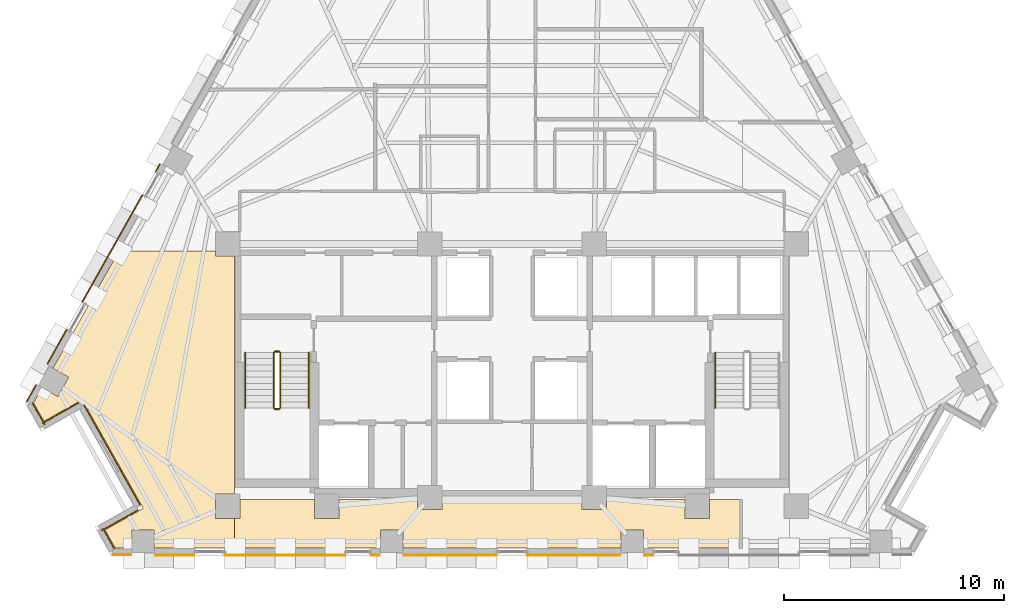
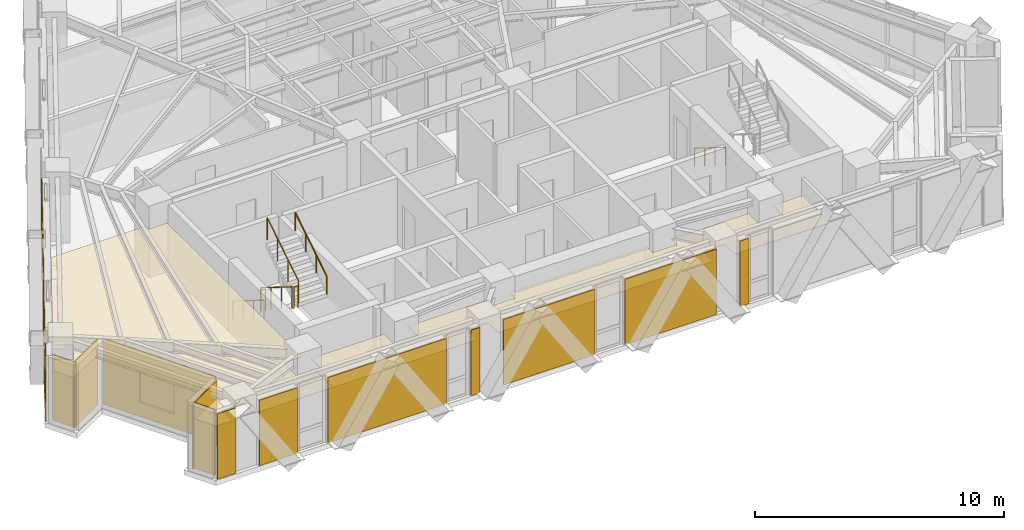
# One storey, part 10 of 13: 18 coverings, 7 railings.
"""IFC4 building model written with IfcOpenShell, lengths in metres."""

import ifcopenshell
import ifcopenshell.guid

model = None  # the IFC model being written
_history = None  # IfcOwnerHistory: only IFC2X3 demands one
_inside = {}  # id of a spatial element -> (the spatial element, [elements in it])
_under = {}  # id of a project, library or spatial element -> (it, [spatial elements below it])
_declared = {}  # id of a project -> (the project, [libraries it declares])
_typed = {}  # id of a type object -> (the type object, [elements of that type])
_made_of = {}  # id of a material, layer set ... -> (it, [elements and type objects made of it])


def new_model(schema):
    """Start an empty IFC model of exactly this schema.

    Asked for "IFC4X3", IfcOpenShell would pick the latest addendum, in which some entities
    have other attributes; the version numbers below select the first issue.
    IFC2X3 requires an IfcOwnerHistory on every rooted entity: one is made here for all.
    """
    global model, _history
    if schema == "IFC4X3":
        model = ifcopenshell.file(schema_version=(4, 3, 0, 0))
    else:
        model = ifcopenshell.file(schema=schema)
    _inside.clear()
    _under.clear()
    _declared.clear()
    _typed.clear()
    _made_of.clear()
    _history = None
    if model.schema == "IFC2X3":
        org = make("IfcOrganization", Name="unknown")
        user = make(
            "IfcPersonAndOrganization",
            ThePerson=make("IfcPerson", FamilyName="unknown"),
            TheOrganization=org,
        )
        app = make(
            "IfcApplication",
            ApplicationDeveloper=org,
            Version="unknown",
            ApplicationFullName="unknown",
            ApplicationIdentifier="unknown",
        )
        _history = make(
            "IfcOwnerHistory",
            OwningUser=user,
            OwningApplication=app,
            ChangeAction="ADDED",
            CreationDate=0,
        )
    return model


def make(cls, **values):
    """One entity of the class cls with the attributes given. An attribute that is None is left unset."""
    return model.create_entity(
        cls, **{name: value for name, value in values.items() if value is not None}
    )


def rooted(cls, **values):
    """An entity with a GlobalId (a new one), such as an element, a storey or a relation."""
    return make(cls, GlobalId=ifcopenshell.guid.new(), OwnerHistory=_history, **values)


def si_unit(unit_type, name, prefix=None):
    """IfcSIUnit, for example si_unit("LENGTHUNIT", "METRE", prefix="MILLI")."""
    return make("IfcSIUnit", UnitType=unit_type, Prefix=prefix, Name=name)


def assignment(units):
    """IfcUnitAssignment: the units of a project."""
    return None if units is None else make("IfcUnitAssignment", Units=units)


def point(xyz):
    """IfcCartesianPoint."""
    return None if xyz is None else make("IfcCartesianPoint", Coordinates=xyz)


def direction(xyz):
    """IfcDirection."""
    return None if xyz is None else make("IfcDirection", DirectionRatios=xyz)


def frame(location, z_axis=None, x_axis=None):
    """IfcAxis2Placement3D, a coordinate frame: its origin and axes. An axis left out is left unset."""
    return make(
        "IfcAxis2Placement3D",
        Location=point(location),
        Axis=direction(z_axis),
        RefDirection=direction(x_axis),
    )


def frame_2d(location, x_axis=None):
    """IfcAxis2Placement2D, a coordinate frame in the plane: its origin and x axis."""
    return make(
        "IfcAxis2Placement2D", Location=point(location), RefDirection=direction(x_axis)
    )


def origin():
    """The frame at (0, 0, 0) with its axes left unset."""
    return frame((0.0, 0.0, 0.0))


def origin_2d():
    """The frame at (0, 0) in the plane with its x axis left unset."""
    return frame_2d((0.0, 0.0))


def place(relative_to, where):
    """IfcLocalPlacement: puts the frame where relative to a parent placement (None: the world)."""
    return make(
        "IfcLocalPlacement", PlacementRelTo=relative_to, RelativePlacement=where
    )


def context(
    kind, dimensions, precision=None, world=None, true_north=None, identifier=None
):
    """IfcGeometricRepresentationContext, for example the 3D "Model" context."""
    return make(
        "IfcGeometricRepresentationContext",
        ContextIdentifier=identifier,
        ContextType=kind,
        CoordinateSpaceDimension=dimensions,
        Precision=precision,
        WorldCoordinateSystem=world,
        TrueNorth=true_north,
    )


def subcontext(parent, identifier, kind, view, scale=None):
    """IfcGeometricRepresentationSubContext, for example "Body" below "Model"."""
    return make(
        "IfcGeometricRepresentationSubContext",
        ContextIdentifier=identifier,
        ContextType=kind,
        ParentContext=parent,
        TargetScale=scale,
        TargetView=view,
    )


def project(units=None, contexts=None):
    """IfcProject with its units and contexts."""
    return rooted(
        "IfcProject",
        Name="project",
        RepresentationContexts=contexts,
        UnitsInContext=assignment(units),
    )


def spatial(cls, under=None, at=None, **own):
    """A site, building, storey or space (cls), placed at a placement, below another one or the project."""
    s = rooted(cls, ObjectPlacement=at, **own)
    if under is not None:
        _under.setdefault(under.id(), (under, []))[1].append(s)
    return s


def polyline(points):
    """IfcPolyline through the points."""
    return make("IfcPolyline", Points=[point(p) for p in points])


def profile(cls, at=None, kind="AREA", **sizes):
    """A parametric profile (cls). Its sizes go by their IFC names, for example OverallWidth=200.0."""
    return make(cls, ProfileType=kind, Position=at, **sizes)


def circle(**sizes):
    """IfcCircleProfileDef."""
    return profile("IfcCircleProfileDef", **sizes)


def outline(outer, holes=None, kind="AREA"):
    """IfcArbitraryClosedProfileDef: a profile drawn as a closed curve; with holes, ...WithVoids."""
    if holes is None:
        return make("IfcArbitraryClosedProfileDef", ProfileType=kind, OuterCurve=outer)
    return make(
        "IfcArbitraryProfileDefWithVoids",
        ProfileType=kind,
        OuterCurve=outer,
        InnerCurves=holes,
    )


def extrude(swept, where, along, depth):
    """IfcExtrudedAreaSolid: the profile swept, set in the frame where, extruded along a direction by depth."""
    return make(
        "IfcExtrudedAreaSolid",
        SweptArea=swept,
        Position=where,
        ExtrudedDirection=direction(along),
        Depth=depth,
    )


def shape(context_of_items, identifier, shape_type, items):
    """IfcShapeRepresentation: the items that make up one representation, for example the "Body"."""
    return make(
        "IfcShapeRepresentation",
        ContextOfItems=context_of_items,
        RepresentationIdentifier=identifier,
        RepresentationType=shape_type,
        Items=items,
    )


def material(Name=None, Category=None):
    """IfcMaterial."""
    return make("IfcMaterial", Name=Name, Category=Category)


def layer(
    of_material, thickness, ventilated=None, Name=None, Category=None, Priority=None
):
    """IfcMaterialLayer: one layer of a wall or slab, of a material (None: an air gap)."""
    return make(
        "IfcMaterialLayer",
        Material=of_material,
        LayerThickness=thickness,
        IsVentilated=ventilated,
        Name=Name,
        Category=Category,
        Priority=Priority,
    )


def layer_set(layers, Name=None):
    """IfcMaterialLayerSet."""
    return make("IfcMaterialLayerSet", MaterialLayers=layers, LayerSetName=Name)


def made_of(thing, what):
    """Note that an element or type object is made of a material, layer set ...; save() writes the relation."""
    if what is not None:
        _made_of.setdefault(what.id(), (what, []))[1].append(thing)
    return thing


def type_object(cls, material=None, **own):
    """A type object (cls), such as IfcWallType, which elements share."""
    return made_of(rooted(cls, **own), material)


def element(
    cls,
    number,
    at=None,
    inside=None,
    cuts=None,
    type_object=None,
    material=None,
    context=None,
    identifier="Body",
    shape_type=None,
    held_by="IfcProductDefinitionShape",
    body=None,
    shapes=None,
    **own,
):
    """One element of the class cls, such as IfcWall. Its Tag is "e" and its number.

    at: its placement. inside: the storey or other place that contains it. cuts: it is an
    opening in that element (IfcRelVoidsElement). A single representation is given by context,
    identifier, shape_type and body (its items); several are given by shapes. held_by: the class
    of the entity that holds the representations. save() writes the other relations.
    """
    e = rooted(cls, Tag="e%d" % number, ObjectPlacement=at, **own)
    if body is not None:
        shapes = [shape(context, identifier, shape_type, body)]
    if shapes is not None:
        e.Representation = make(held_by, Representations=shapes)
    if inside is not None:
        _inside.setdefault(inside.id(), (inside, []))[1].append(e)
    if cuts is not None:
        rooted(
            "IfcRelVoidsElement", RelatingBuildingElement=cuts, RelatedOpeningElement=e
        )
    if type_object is not None:
        _typed.setdefault(type_object.id(), (type_object, []))[1].append(e)
    return made_of(e, material)


def aggregate(whole, parts):
    """IfcRelAggregates: a whole, such as a stair, and the parts it consists of."""
    return rooted("IfcRelAggregates", RelatingObject=whole, RelatedObjects=parts)


def save(model, path):
    """Write the relations noted so far, then the file.

    IfcRelAggregates (storeys below a building ...), IfcRelContainedInSpatialStructure (elements
    in a storey), IfcRelDefinesByType, IfcRelAssociatesMaterial and IfcRelDeclares: one each for
    every whole, place, type object, material and project.
    """
    for whole, parts in _under.values():
        aggregate(whole, parts)
    for where, things in _inside.values():
        rooted(
            "IfcRelContainedInSpatialStructure",
            RelatedElements=things,
            RelatingStructure=where,
        )
    for kind, things in _typed.values():
        rooted("IfcRelDefinesByType", RelatedObjects=things, RelatingType=kind)
    for what, things in _made_of.values():
        rooted("IfcRelAssociatesMaterial", RelatedObjects=things, RelatingMaterial=what)
    for by, libraries in _declared.values():
        rooted("IfcRelDeclares", RelatingContext=by, RelatedDefinitions=libraries)
    model.write(path)


model = new_model("IFC4")

# Units and contexts
model_context = context("Model", 3, precision=1e-05, world=origin(), true_north=direction((0.0, 1.0)))
body_context = subcontext(model_context, "Body", "Model", "MODEL_VIEW")
ifc_project = project(units=[si_unit("LENGTHUNIT", "METRE"), si_unit("AREAUNIT", "SQUARE_METRE"), si_unit("VOLUMEUNIT", "CUBIC_METRE"), si_unit("PLANEANGLEUNIT", "RADIAN"), si_unit("MASSUNIT", "GRAM", prefix="KILO")], contexts=[model_context])

# Site, building, storey
site_placement = place(None, origin())
site = spatial("IfcSite", under=ifc_project, at=site_placement, CompositionType="ELEMENT")
building_placement = place(site_placement, origin())
building = spatial("IfcBuilding", under=site, at=building_placement, Name="Quenlor Broadcast Tower", CompositionType="ELEMENT")
storey_placement = place(building_placement, frame((0.0, 0.0, 137.0)))
storey = spatial("IfcBuildingStorey", under=building, at=storey_placement, Name="L37", CompositionType="ELEMENT", Elevation=137.0)

# Coverings
ifc_material_1 = material(Name="Acoustic Mineral Fibre Board", Category="other")
ifc_layer_1 = layer(ifc_material_1, 0.02490234375)
ifc_layer_set_1 = layer_set([ifc_layer_1], Name="Acoustic Perforated Mineral Tile Ceiling 25")
covering_type_1 = type_object("IfcCoveringType", Name="Acoustic Perforated Mineral Tile Ceiling 25", PredefinedType="CEILING", material=ifc_layer_set_1)
covering_1_placement = place(storey_placement, frame((0.0, 0.0, 2.375)))
element("IfcCovering", 1, at=covering_1_placement, inside=storey, type_object=covering_type_1, Name="L37 Acoustic Ceiling L37-36-2", PredefinedType="CEILING", context=body_context, shape_type="SweptSolid", body=[
    extrude(outline(polyline([(-21.794921875, -12.0400390625), (-21.406982421875, -11.350341796875), (-20.694091796875, -11.751220703125), (-20.19580078125, -10.86572265625), (-20.90869140625, -10.46484375), (-17.90234375, -5.1201171875), (-13.508056640625, -5.1201171875), (-13.508056640625, -5.35791015625), (-12.64990234375, -5.35791015625), (-12.64990234375, -16.19189453125), (-13.508056640625, -16.19189453125), (-13.508056640625, -17.30810546875), (-12.64990234375, -17.30810546875), (-12.64990234375, -18.659912109375), (-16.30029296875, -18.659912109375), (-16.30029296875, -17.842041015625), (-17.31640625, -17.842041015625), (-17.31640625, -18.659912109375), (-18.071044921875, -18.659912109375), (-18.538818359375, -17.82861328125), (-16.795654296875, -16.847900390625), (-19.580322265625, -11.8974609375), (-21.323486328125, -12.878173828125), (-21.794921875, -12.0400390625)])), origin(), (0.0, 0.0, 1.0), 0.02490234375),
])
covering_2_placement = place(storey_placement, frame((0.0, 0.0, 2.375)))
element("IfcCovering", 2, at=covering_2_placement, inside=storey, type_object=covering_type_1, Name="L37 Acoustic Ceiling L37-36-3", PredefinedType="CEILING", context=body_context, shape_type="SweptSolid", body=[
    extrude(outline(polyline([(-12.39208984375, -17.30810546875), (-12.39208984375, -16.449951171875), (-9.008056640625, -16.449951171875), (-9.008056640625, -17.30810546875), (-7.89208984375, -17.30810546875), (-7.89208984375, -16.449951171875), (-4.30810546875, -16.449951171875), (-4.30810546875, -16.907958984375), (-3.19189453125, -16.907958984375), (-3.19189453125, -16.449951171875), (3.19189453125, -16.449951171875), (3.19189453125, -16.907958984375), (4.30810546875, -16.907958984375), (4.30810546875, -16.449951171875), (7.89208984375, -16.449951171875), (7.89208984375, -17.30810546875), (9.008056640625, -17.30810546875), (9.008056640625, -16.449951171875), (10.38525390625, -16.449951171875), (10.38525390625, -18.659912109375), (5.989013671875, -18.659912109375), (5.989013671875, -17.842041015625), (4.972900390625, -17.842041015625), (4.972900390625, -18.659912109375), (-4.972900390625, -18.659912109375), (-4.972900390625, -17.842041015625), (-5.989013671875, -17.842041015625), (-5.989013671875, -18.659912109375), (-12.64990234375, -18.659912109375), (-12.64990234375, -17.30810546875), (-12.39208984375, -17.30810546875)])), origin(), (0.0, 0.0, 1.0), 0.02490234375),
])
ifc_material_2 = material(Name="Architectural Terracotta Ceramic", Category="masonry")
ifc_layer_2 = layer(ifc_material_2, 0.044921875)
ifc_layer_set_2 = layer_set([ifc_layer_2], Name="Fluted Terracotta Rainscreen Cladding Panel")
covering_type_2 = type_object("IfcCoveringType", Name="Fluted Terracotta Rainscreen Cladding Panel", PredefinedType="CLADDING", material=ifc_layer_set_2)
covering_3_placement = place(storey_placement, frame((0.0, 0.0, 0.02001953125)))
element("IfcCovering", 3, at=covering_3_placement, inside=storey, type_object=covering_type_2, Name="L37 Terracotta Rainscreen Cladding L37-SHD-SS1", PredefinedType="CLADDING", context=body_context, shape_type="SweptSolid", body=[
    extrude(outline(polyline([(-17.343505859375, -18.93701171875), (-18.179931640625, -18.93701171875), (-18.179931640625, -18.98193359375), (-17.343505859375, -18.98193359375), (-17.343505859375, -18.93701171875)])), origin(), (0.0, 0.0, 1.0), 3.2099609375),
])
covering_4_placement = place(storey_placement, frame((0.0, 0.0, 0.02001953125)))
element("IfcCovering", 4, at=covering_4_placement, inside=storey, type_object=covering_type_2, Name="L37 Terracotta Rainscreen Cladding L37-SA-SP3", PredefinedType="CLADDING", context=body_context, shape_type="SweptSolid", body=[
    extrude(outline(polyline([(6.43603515625, -18.95703125), (6.035888671875, -18.95703125), (6.035888671875, -19.001953125), (6.43603515625, -19.001953125), (6.43603515625, -18.95703125)])), origin(), (0.0, 0.0, 1.0), 3.2099609375),
])
covering_5_placement = place(storey_placement, frame((0.0, 0.0, 0.02001953125)))
element("IfcCovering", 5, at=covering_5_placement, inside=storey, type_object=covering_type_2, Name="L37 Terracotta Rainscreen Cladding L37-SC-SP1", PredefinedType="CLADDING", context=body_context, shape_type="SweptSolid", body=[
    extrude(outline(polyline([(-6.035888671875, -18.95703125), (-6.43603515625, -18.95703125), (-6.43603515625, -19.001953125), (-6.035888671875, -19.001953125), (-6.035888671875, -18.95703125)])), origin(), (0.0, 0.0, 1.0), 3.2099609375),
])
covering_6_placement = place(storey_placement, frame((0.0, 0.0, 0.02001953125)))
element("IfcCovering", 6, at=covering_6_placement, inside=storey, type_object=covering_type_2, Name="L37 Terracotta Rainscreen Cladding L37-SC-SP2", PredefinedType="CLADDING", context=body_context, shape_type="SweptSolid", body=[
    extrude(outline(polyline([(-7.5869140625, -18.95703125), (-13.076904296875, -18.95703125), (-13.076904296875, -19.001953125), (-7.5869140625, -19.001953125), (-7.5869140625, -18.95703125)])), origin(), (0.0, 0.0, 1.0), 3.2099609375),
])
covering_7_placement = place(storey_placement, frame((0.0, 0.0, 0.02001953125)))
element("IfcCovering", 7, at=covering_7_placement, inside=storey, type_object=covering_type_2, Name="L37 Terracotta Rainscreen Cladding L37-SC-SP3", PredefinedType="CLADDING", context=body_context, shape_type="SweptSolid", body=[
    extrude(outline(polyline([(-14.47509765625, -18.95703125), (-16.25341796875, -18.95703125), (-16.25341796875, -19.001953125), (-14.47509765625, -19.001953125), (-14.47509765625, -18.95703125)])), origin(), (0.0, 0.0, 1.0), 3.2099609375),
])
covering_8_placement = place(storey_placement, frame((0.0, 0.0, 0.02001953125)))
element("IfcCovering", 8, at=covering_8_placement, inside=storey, type_object=covering_type_2, Name="L37 Terracotta Rainscreen Cladding L37-S-SP1", PredefinedType="CLADDING", context=body_context, shape_type="SweptSolid", body=[
    extrude(outline(polyline([(4.930908203125, -18.95703125), (0.698974609375, -18.95703125), (0.698974609375, -19.001953125), (4.930908203125, -19.001953125), (4.930908203125, -18.95703125)])), origin(), (0.0, 0.0, 1.0), 3.2099609375),
])
covering_9_placement = place(storey_placement, frame((0.0, 0.0, 0.02001953125)))
element("IfcCovering", 9, at=covering_9_placement, inside=storey, type_object=covering_type_2, Name="L37 Terracotta Rainscreen Cladding L37-S-SP2", PredefinedType="CLADDING", context=body_context, shape_type="SweptSolid", body=[
    extrude(outline(polyline([(-0.698974609375, -18.95703125), (-4.930908203125, -18.95703125), (-4.930908203125, -19.001953125), (-0.698974609375, -19.001953125), (-0.698974609375, -18.95703125)])), origin(), (0.0, 0.0, 1.0), 3.2099609375),
])
covering_10_placement = place(storey_placement, frame((0.0, 0.0, 0.02001953125)))
element("IfcCovering", 10, at=covering_10_placement, inside=storey, type_object=covering_type_2, Name="L37 Terracotta Rainscreen Cladding L37-SHD-NWS0", PredefinedType="CLADDING", context=body_context, shape_type="SweptSolid", body=[
    extrude(outline(polyline([(-22.0859375, -11.992431640625), (-21.66162109375, -11.23779296875), (-21.70068359375, -11.2158203125), (-22.125244140625, -11.970458984375), (-22.0859375, -11.992431640625)])), origin(), (0.0, 0.0, 1.0), 3.2099609375),
])
covering_11_placement = place(storey_placement, frame((0.0, 0.0, 0.02001953125)))
element("IfcCovering", 11, at=covering_11_placement, inside=storey, type_object=covering_type_2, Name="L37 Terracotta Rainscreen Cladding L37-NWA-SP1", PredefinedType="CLADDING", context=body_context, shape_type="SweptSolid", body=[
    extrude(outline(polyline([(-21.14453125, -10.278076171875), (-20.26416015625, -8.712646484375), (-20.30322265625, -8.690673828125), (-21.183837890625, -10.256103515625), (-21.14453125, -10.278076171875)])), origin(), (0.0, 0.0, 1.0), 3.2099609375),
])
covering_12_placement = place(storey_placement, frame((0.0, 0.0, 0.02001953125)))
element("IfcCovering", 12, at=covering_12_placement, inside=storey, type_object=covering_type_2, Name="L37 Terracotta Rainscreen Cladding L37-NWA-SP2", PredefinedType="CLADDING", context=body_context, shape_type="SweptSolid", body=[
    extrude(outline(polyline([(-19.55322265625, -7.44921875), (-16.81591796875, -2.582763671875), (-16.855224609375, -2.560791015625), (-19.592529296875, -7.42724609375), (-19.55322265625, -7.44921875)])), origin(), (0.0, 0.0, 1.0), 3.2099609375),
])
covering_13_placement = place(storey_placement, frame((0.0, 0.0, 0.02001953125)))
element("IfcCovering", 13, at=covering_13_placement, inside=storey, type_object=covering_type_2, Name="L37 Terracotta Rainscreen Cladding L37-NWA-SP3", PredefinedType="CLADDING", context=body_context, shape_type="SweptSolid", body=[
    extrude(outline(polyline([(-16.22119140625, -1.525390625), (-16.025146484375, -1.1767578125), (-16.064453125, -1.15478515625), (-16.260498046875, -1.50341796875), (-16.22119140625, -1.525390625)])), origin(), (0.0, 0.0, 1.0), 3.2099609375),
])
covering_14_placement = place(storey_placement, frame((0.0, 0.0, 0.02001953125)))
element("IfcCovering", 14, at=covering_14_placement, inside=storey, type_object=covering_type_2, Name="L37 Terracotta Rainscreen Cladding L37-CNR-12", PredefinedType="CLADDING", context=body_context, shape_type="SweptSolid", body=[
    extrude(outline(polyline([(-21.864501953125, -12.0546875), (-21.309326171875, -13.0419921875), (-21.27001953125, -13.02001953125), (-21.825439453125, -12.03271484375), (-21.864501953125, -12.0546875)])), origin(), (0.0, 0.0, 1.0), 3.2099609375),
])
covering_15_placement = place(storey_placement, frame((0.0, 0.0, 0.02001953125)))
element("IfcCovering", 15, at=covering_15_placement, inside=storey, type_object=covering_type_2, Name="L37 Terracotta Rainscreen Cladding L37-CNR-13", PredefinedType="CLADDING", context=body_context, shape_type="SweptSolid", body=[
    extrude(outline(polyline([(-21.385986328125, -12.9912109375), (-19.72998046875, -12.059814453125), (-19.752197265625, -12.0205078125), (-21.408203125, -12.9521484375), (-21.385986328125, -12.9912109375)])), origin(), (0.0, 0.0, 1.0), 3.2099609375),
])
covering_16_placement = place(storey_placement, frame((0.0, 0.0, 0.02001953125)))
element("IfcCovering", 16, at=covering_16_placement, inside=storey, type_object=covering_type_2, Name="L37 Terracotta Rainscreen Cladding L37-CNR-14", PredefinedType="CLADDING", context=body_context, shape_type="SweptSolid", body=[
    extrude(outline(polyline([(-19.51708984375, -12.148681640625), (-16.9580078125, -16.6982421875), (-16.918701171875, -16.67626953125), (-19.477783203125, -12.126708984375), (-19.51708984375, -12.148681640625)])), origin(), (0.0, 0.0, 1.0), 3.2099609375),
])
covering_17_placement = place(storey_placement, frame((0.0, 0.0, 0.02001953125)))
element("IfcCovering", 17, at=covering_17_placement, inside=storey, type_object=covering_type_2, Name="L37 Terracotta Rainscreen Cladding L37-CNR-15", PredefinedType="CLADDING", context=body_context, shape_type="SweptSolid", body=[
    extrude(outline(polyline([(-17.046875, -16.911376953125), (-18.702880859375, -17.8427734375), (-18.680908203125, -17.882080078125), (-17.02490234375, -16.950439453125), (-17.046875, -16.911376953125)])), origin(), (0.0, 0.0, 1.0), 3.2099609375),
])
covering_18_placement = place(storey_placement, frame((0.0, 0.0, 0.02001953125)))
element("IfcCovering", 18, at=covering_18_placement, inside=storey, type_object=covering_type_2, Name="L37 Terracotta Rainscreen Cladding L37-CNR-16", PredefinedType="CLADDING", context=body_context, shape_type="SweptSolid", body=[
    extrude(outline(polyline([(-18.652099609375, -17.76611328125), (-18.127685546875, -18.697998046875), (-18.088623046875, -18.67578125), (-18.61279296875, -17.743896484375), (-18.652099609375, -17.76611328125)])), origin(), (0.0, 0.0, 1.0), 3.2099609375),
])

# Railings
ifc_material_3 = material(Name="Anodised Aluminium", Category="aluminium")
railing_type_1 = type_object("IfcRailingType", Name="Stainless Aluminium Wall Handrail 900", PredefinedType="HANDRAIL", material=ifc_material_3)
railing_1_placement = place(storey_placement, frame((-12.14990234375, -9.75, 0.175048828125)))
element("IfcRailing", 19, at=railing_1_placement, inside=storey, type_object=railing_type_1, Name="L37 ST-1 stair handrail 1", PredefinedType="HANDRAIL", context=body_context, shape_type="SweptSolid", body=[
    extrude(circle(Radius=0.02392578125, at=origin_2d()), frame((0.0, 0.0, 0.8759765625), z_axis=(0.0, -0.848007534815, 0.529984170421), x_axis=(1.0, 0.0, 0.0)), (0.0, 0.0, 1.0), 2.9716796875),
    extrude(circle(Radius=0.02099609375, at=origin_2d()), origin(), (0.0, 0.0, 1.0), 0.851806640625),
    extrude(circle(Radius=0.02099609375, at=origin_2d()), frame((0.0, -0.840087890625, 0.52490234375)), (0.0, 0.0, 1.0), 0.851806640625),
    extrude(circle(Radius=0.02099609375, at=origin_2d()), frame((0.0, -1.679931640625, 1.050048828125)), (0.0, 0.0, 1.0), 0.851806640625),
    extrude(circle(Radius=0.02099609375, at=origin_2d()), frame((0.0, -2.52001953125, 1.574951171875)), (0.0, 0.0, 1.0), 0.851806640625),
])
railing_2_placement = place(storey_placement, frame((-9.25, -12.27001953125, 1.925048828125)))
element("IfcRailing", 20, at=railing_2_placement, inside=storey, type_object=railing_type_1, Name="L37 ST-1 stair handrail 2", PredefinedType="HANDRAIL", context=body_context, shape_type="SweptSolid", body=[
    extrude(circle(Radius=0.02392578125, at=origin_2d()), frame((0.0, 0.0, 0.8759765625), z_axis=(0.0, 0.848007534815, 0.529984170421), x_axis=(-1.0, 0.0, 0.0)), (0.0, 0.0, 1.0), 2.9716796875),
    extrude(circle(Radius=0.02099609375, at=origin_2d()), origin(), (0.0, 0.0, 1.0), 0.851806640625),
    extrude(circle(Radius=0.02099609375, at=origin_2d()), frame((0.0, 0.840087890625, 0.52490234375)), (0.0, 0.0, 1.0), 0.851806640625),
    extrude(circle(Radius=0.02099609375, at=origin_2d()), frame((0.0, 1.679931640625, 1.050048828125)), (0.0, 0.0, 1.0), 0.851806640625),
    extrude(circle(Radius=0.02099609375, at=origin_2d()), frame((0.0, 2.52001953125, 1.574951171875)), (0.0, 0.0, 1.0), 0.851806640625),
])
railing_3_placement = place(storey_placement, frame((9.25, -9.75, 0.175048828125)))
element("IfcRailing", 21, at=railing_3_placement, inside=storey, type_object=railing_type_1, Name="L37 ST-2 stair handrail 1", PredefinedType="HANDRAIL", context=body_context, shape_type="SweptSolid", body=[
    extrude(circle(Radius=0.02392578125, at=origin_2d()), frame((0.0, 0.0, 0.8759765625), z_axis=(0.0, -0.848007534815, 0.529984170421), x_axis=(1.0, 0.0, 0.0)), (0.0, 0.0, 1.0), 2.9716796875),
    extrude(circle(Radius=0.02099609375, at=origin_2d()), origin(), (0.0, 0.0, 1.0), 0.851806640625),
    extrude(circle(Radius=0.02099609375, at=origin_2d()), frame((0.0, -0.840087890625, 0.52490234375)), (0.0, 0.0, 1.0), 0.851806640625),
    extrude(circle(Radius=0.02099609375, at=origin_2d()), frame((0.0, -1.679931640625, 1.050048828125)), (0.0, 0.0, 1.0), 0.851806640625),
    extrude(circle(Radius=0.02099609375, at=origin_2d()), frame((0.0, -2.52001953125, 1.574951171875)), (0.0, 0.0, 1.0), 0.851806640625),
])
ifc_material_4 = material(Name="Steel S355", Category="steel")
railing_type_2 = type_object("IfcRailingType", Name="Tubular Steel S355 Stair Guardrail 1100", PredefinedType="BALUSTRADE", material=ifc_material_4)
railing_4_placement = place(storey_placement, frame((-10.85009765625, -9.75, 0.175048828125)))
element("IfcRailing", 22, at=railing_4_placement, inside=storey, type_object=railing_type_2, Name="L37 ST-1 stair guard 1", PredefinedType="BALUSTRADE", context=body_context, shape_type="SweptSolid", body=[
    extrude(circle(Radius=0.02392578125, at=origin_2d()), frame((0.0, 0.0, 1.076171875), z_axis=(0.0, -0.848007534815, 0.529984170421), x_axis=(1.0, 0.0, 0.0)), (0.0, 0.0, 1.0), 2.9716796875),
    extrude(circle(Radius=0.02099609375, at=origin_2d()), origin(), (0.0, 0.0, 1.0), 1.052001953125),
    extrude(circle(Radius=0.02099609375, at=origin_2d()), frame((0.0, -0.840087890625, 0.52490234375)), (0.0, 0.0, 1.0), 1.052001953125),
    extrude(circle(Radius=0.02099609375, at=origin_2d()), frame((0.0, -1.679931640625, 1.050048828125)), (0.0, 0.0, 1.0), 1.052001953125),
    extrude(circle(Radius=0.02099609375, at=origin_2d()), frame((0.0, -2.52001953125, 1.574951171875)), (0.0, 0.0, 1.0), 1.052001953125),
])
railing_5_placement = place(storey_placement, frame((-10.800048828125, -12.320068359375, 1.75)))
element("IfcRailing", 23, at=railing_5_placement, inside=storey, type_object=railing_type_2, Name="L37 ST-1 stair guard 2", PredefinedType="BALUSTRADE", context=body_context, shape_type="SweptSolid", body=[
    extrude(circle(Radius=0.02392578125, at=origin_2d()), frame((0.0, 0.0, 1.076171875), z_axis=(1.0, 0.0, 0.0), x_axis=(0.0, 1.0, 0.0)), (0.0, 0.0, 1.0), 0.199951171875),
    extrude(circle(Radius=0.02099609375, at=origin_2d()), origin(), (0.0, 0.0, 1.0), 1.052001953125),
    extrude(circle(Radius=0.02099609375, at=origin_2d()), frame((0.199951171875, 0.0, 0.0)), (0.0, 0.0, 1.0), 1.052001953125),
])
railing_6_placement = place(storey_placement, frame((-10.550048828125, -12.27001953125, 1.925048828125)))
element("IfcRailing", 24, at=railing_6_placement, inside=storey, type_object=railing_type_2, Name="L37 ST-1 stair guard 3", PredefinedType="BALUSTRADE", context=body_context, shape_type="SweptSolid", body=[
    extrude(circle(Radius=0.02392578125, at=origin_2d()), frame((0.0, 0.0, 1.076171875), z_axis=(0.0, 0.848007534815, 0.529984170421), x_axis=(-1.0, 0.0, 0.0)), (0.0, 0.0, 1.0), 2.9716796875),
    extrude(circle(Radius=0.02099609375, at=origin_2d()), origin(), (0.0, 0.0, 1.0), 1.052001953125),
    extrude(circle(Radius=0.02099609375, at=origin_2d()), frame((0.0, 0.840087890625, 0.52490234375)), (0.0, 0.0, 1.0), 1.052001953125),
    extrude(circle(Radius=0.02099609375, at=origin_2d()), frame((0.0, 1.679931640625, 1.050048828125)), (0.0, 0.0, 1.0), 1.052001953125),
    extrude(circle(Radius=0.02099609375, at=origin_2d()), frame((0.0, 2.52001953125, 1.574951171875)), (0.0, 0.0, 1.0), 1.052001953125),
])
railing_7_placement = place(storey_placement, frame((-10.800048828125, -9.699951171875, 0.0)))
element("IfcRailing", 25, at=railing_7_placement, inside=storey, type_object=railing_type_2, Name="L37 ST-1 stair guard 4", PredefinedType="BALUSTRADE", context=body_context, shape_type="SweptSolid", body=[
    extrude(circle(Radius=0.02392578125, at=origin_2d()), frame((0.0, 0.0, 1.076171875), z_axis=(1.0, 0.0, 0.0), x_axis=(0.0, 1.0, 0.0)), (0.0, 0.0, 1.0), 0.199951171875),
    extrude(circle(Radius=0.02099609375, at=origin_2d()), origin(), (0.0, 0.0, 1.0), 1.052001953125),
    extrude(circle(Radius=0.02099609375, at=origin_2d()), frame((0.199951171875, 0.0, 0.0)), (0.0, 0.0, 1.0), 1.052001953125),
])

save(model, "model.ifc")
